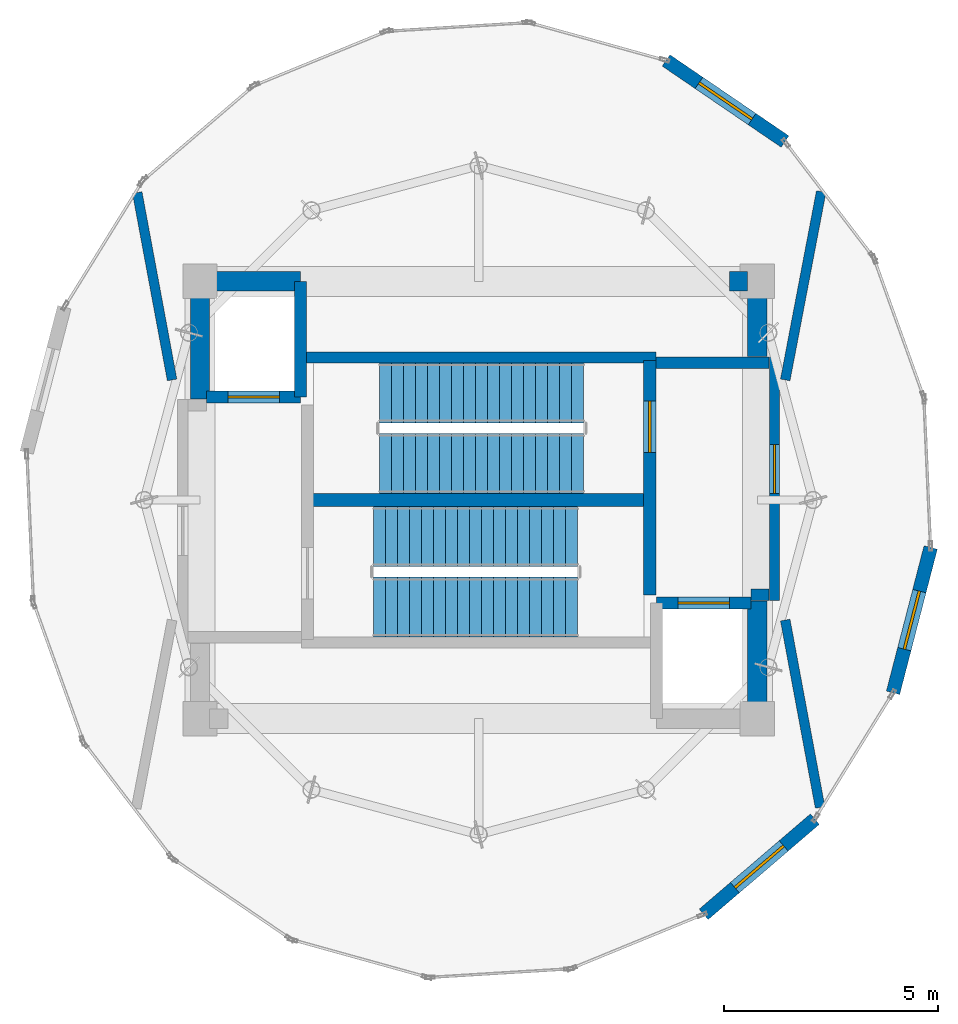
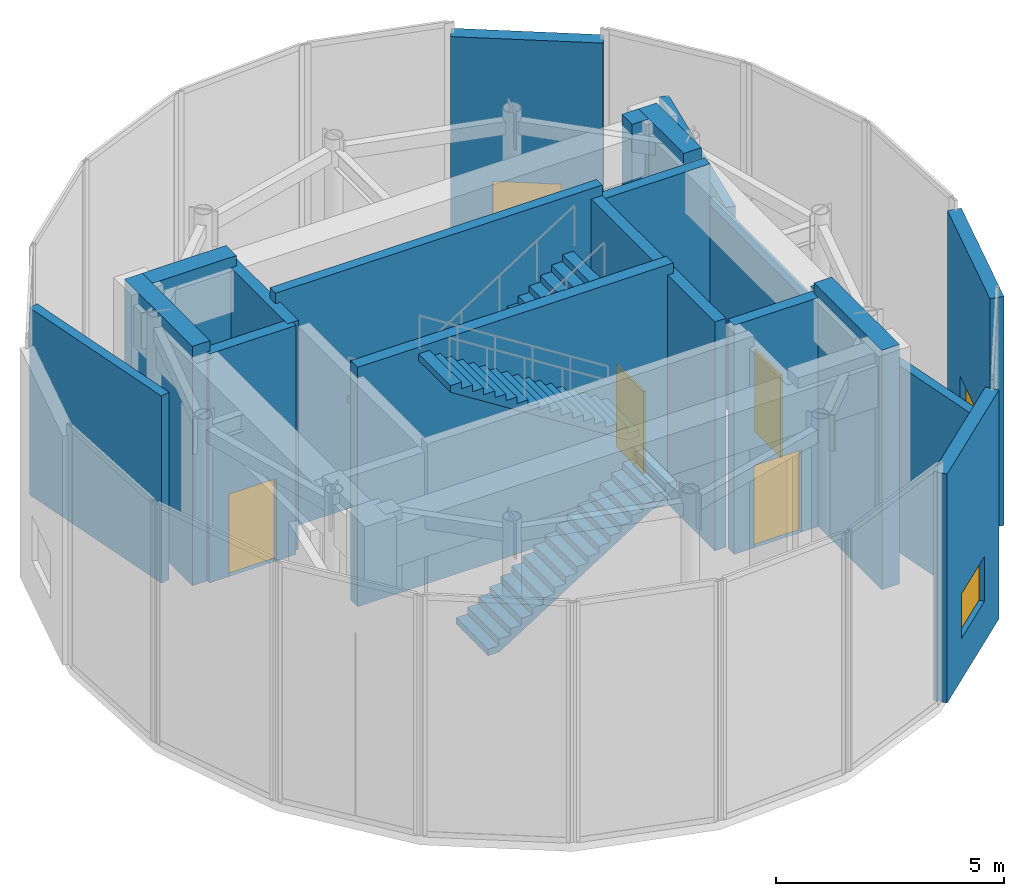
# One storey, part 7 of 8: 20 walls, 4 doors, 4 stair flights, 3 windows, 7 openings, 2 elements without a shape of their own.
"""IFC4 building model written with IfcOpenShell, lengths in metres."""

from ifc_helpers import new_model, si_unit, direction, frame, frame_2d, origin, place, context, subcontext, project, spatial, polyline, rectangle, outline, extrude, material, layer, layer_set, type_object, element, fill, aggregate, save


model = new_model("IFC4")

# Units and contexts
model_context = context("Model", 3, precision=1e-05, world=origin(), true_north=direction((0.0, 1.0)))
body_context = subcontext(model_context, "Body", "Model", "MODEL_VIEW")
ifc_project = project(units=[si_unit("LENGTHUNIT", "METRE"), si_unit("AREAUNIT", "SQUARE_METRE"), si_unit("VOLUMEUNIT", "CUBIC_METRE"), si_unit("PLANEANGLEUNIT", "RADIAN"), si_unit("MASSUNIT", "GRAM", prefix="KILO")], contexts=[model_context])

# Site, building, storey
site_placement = place(None, origin())
site = spatial("IfcSite", under=ifc_project, at=site_placement, CompositionType="ELEMENT")
building_placement = place(site_placement, origin())
building = spatial("IfcBuilding", under=site, at=building_placement, Name="Solvirekh Grand Hotel", CompositionType="ELEMENT")
storey_placement = place(building_placement, frame((0.0, 0.0, 321.0)))
storey = spatial("IfcBuildingStorey", under=building, at=storey_placement, Name="L81", CompositionType="ELEMENT", Elevation=321.0)

# Wall
ifc_material_1 = material(Name="Concrete C50/60", Category="concrete")
ifc_layer_1 = layer(ifc_material_1, 0.35009765625)
ifc_layer_set_1 = layer_set([ifc_layer_1], Name="Concrete C50/60")
wall_type_1 = type_object("IfcWallType", Name="CoreDivWall_RC350", PredefinedType="SOLIDWALL", material=ifc_layer_set_1)
wall_1_placement = place(storey_placement, frame((-4.1298828125, 3.324951171875, 0.0), z_axis=(0.0, 0.0, 1.0), x_axis=(1.0, 0.0, 0.0)))
element("IfcWall", 1, at=wall_1_placement, inside=storey, type_object=wall_type_1, Name="L81 core stair box wall ST-N", PredefinedType="SOLIDWALL", context=body_context, shape_type="SweptSolid", body=[
    extrude(rectangle(XDim=8.259765625, YDim=0.25, at=frame_2d((4.1298828125, 0.0))), origin(), (0.0, 0.0, 1.0), 6.39990234375),
])

# Wall, opening, door
ifc_material_2 = material(Name="Concrete C40/50", Category="concrete")
ifc_layer_2 = layer(ifc_material_2, 0.280029296875)
ifc_layer_set_2 = layer_set([ifc_layer_2], Name="Concrete C40/50")
wall_type_2 = type_object("IfcWallType", Name="CoreShaftWall_RC280", PredefinedType="SOLIDWALL", material=ifc_layer_set_2)
wall_2_placement = place(storey_placement, frame((-6.35009765625, 2.39990234375, 0.0), z_axis=(0.0, 0.0, 1.0), x_axis=(1.0, 0.0, 0.0)))
wall_2 = element("IfcWall", 2, at=wall_2_placement, inside=storey, type_object=wall_type_2, Name="L81 FL-1 hoistway S wall", PredefinedType="SOLIDWALL", context=body_context, shape_type="SweptSolid", body=[
    extrude(rectangle(XDim=2.2001953125, YDim=0.280029296875, at=frame_2d((1.10009765625, 0.0))), origin(), (0.0, 0.0, 1.0), 6.1201171875),
])
opening_1_placement = place(wall_2_placement, frame((0.5, 0.0, 0.0)))
opening_1 = element("IfcOpeningElement", 3, at=opening_1_placement, cuts=wall_2, Name="Opening LD02", PredefinedType="OPENING", context=body_context, shape_type="SweptSolid", body=[
    extrude(rectangle(XDim=1.199951171875, YDim=2.199951171875, at=frame_2d((0.60009765625, 1.10009765625))), frame((0.0, 0.14990234375, 0.0), z_axis=(0.0, -1.0, 0.0), x_axis=(1.0, 0.0, 0.0)), (0.0, 0.0, 1.0), 0.300048828125),
])
ifc_material_3 = material(Name="Fire-Rated Steel Door Assembly", Category="steel")
door_type_1 = type_object("IfcDoorType", Name="Door_LiftFF_1200X2200", OperationType="SLIDING_TO_LEFT", PredefinedType="DOOR", material=ifc_material_3)
door_1_placement = place(opening_1_placement, origin())
door_1 = element("IfcDoor", 4, at=door_1_placement, inside=storey, type_object=door_type_1, Name="L81 FL-1 sliding lift landing door", OperationType="SLIDING_TO_LEFT", OverallHeight=2.199951171875, OverallWidth=1.199951171875, PredefinedType="DOOR", context=body_context, shape_type="SweptSolid", body=[
    extrude(rectangle(XDim=1.199951171875, YDim=2.199951171875, at=frame_2d((0.60009765625, 1.10009765625))), frame((0.0, 0.02490234375, 0.0), z_axis=(0.0, -1.0, 0.0), x_axis=(1.0, 0.0, 0.0)), (0.0, 0.0, 1.0), 0.050048828125),
])
fill(opening_1, door_1)

# Wall
wall_3_placement = place(storey_placement, frame((-4.14990234375, 2.39990234375, 0.0), z_axis=(0.0, 0.0, 1.0), x_axis=(0.0, 1.0, 0.0)))
element("IfcWall", 5, at=wall_3_placement, inside=storey, type_object=wall_type_2, Name="L81 FL-1 hoistway E wall", PredefinedType="SOLIDWALL", context=body_context, shape_type="SweptSolid", body=[
    extrude(rectangle(XDim=2.7001953125, YDim=0.280029296875, at=frame_2d((1.35009765625, 0.0))), origin(), (0.0, 0.0, 1.0), 6.1201171875),
])

# Wall, opening, door
wall_4_placement = place(storey_placement, frame((6.35009765625, -2.39990234375, 0.0), z_axis=(0.0, 0.0, 1.0), x_axis=(-1.0, 0.0, 0.0)))
wall_4 = element("IfcWall", 6, at=wall_4_placement, inside=storey, type_object=wall_type_2, Name="L81 FL-2 hoistway N wall", PredefinedType="SOLIDWALL", context=body_context, shape_type="SweptSolid", body=[
    extrude(rectangle(XDim=2.2001953125, YDim=0.280029296875, at=frame_2d((1.10009765625, 0.0))), origin(), (0.0, 0.0, 1.0), 6.1201171875),
])
opening_2_placement = place(wall_4_placement, frame((0.5, 0.0, 0.0)))
opening_2 = element("IfcOpeningElement", 7, at=opening_2_placement, cuts=wall_4, Name="Opening LD02", PredefinedType="OPENING", context=body_context, shape_type="SweptSolid", body=[
    extrude(rectangle(XDim=1.199951171875, YDim=2.199951171875, at=frame_2d((0.60009765625, 1.10009765625))), frame((0.0, 0.14990234375, 0.0), z_axis=(0.0, -1.0, 0.0), x_axis=(1.0, 0.0, 0.0)), (0.0, 0.0, 1.0), 0.300048828125),
])
door_2_placement = place(opening_2_placement, origin())
door_2 = element("IfcDoor", 8, at=door_2_placement, inside=storey, type_object=door_type_1, Name="L81 FL-2 sliding lift landing door", OperationType="SLIDING_TO_LEFT", OverallHeight=2.199951171875, OverallWidth=1.199951171875, PredefinedType="DOOR", context=body_context, shape_type="SweptSolid", body=[
    extrude(rectangle(XDim=1.199951171875, YDim=2.199951171875, at=frame_2d((0.60009765625, 1.10009765625))), frame((0.0, 0.02490234375, 0.0), z_axis=(0.0, -1.0, 0.0), x_axis=(1.0, 0.0, 0.0)), (0.0, 0.0, 1.0), 0.050048828125),
])
fill(opening_2, door_2)

wall_5_placement = place(storey_placement, frame((3.989990234375, -2.2099609375, 0.0), z_axis=(0.0, 0.0, 1.0), x_axis=(0.0, 1.0, 0.0)))
wall_5 = element("IfcWall", 9, at=wall_5_placement, inside=storey, type_object=wall_type_2, Name="L81 east stair landing enclosure wall", PredefinedType="SOLIDWALL", context=body_context, shape_type="SweptSolid", body=[
    extrude(rectangle(XDim=5.4599609375, YDim=0.280029296875, at=frame_2d((2.72998046875, 0.0))), origin(), (0.0, 0.0, 1.0), 6.1201171875),
])
opening_3_placement = place(wall_5_placement, frame((3.322998046875, 0.0, 0.0)))
opening_3 = element("IfcOpeningElement", 10, at=opening_3_placement, cuts=wall_5, Name="Opening D05", PredefinedType="OPENING", context=body_context, shape_type="SweptSolid", body=[
    extrude(rectangle(XDim=1.199951171875, YDim=2.199951171875, at=frame_2d((0.60009765625, 1.10009765625))), frame((0.0, 0.14990234375, 0.0), z_axis=(0.0, -1.0, 0.0), x_axis=(1.0, 0.0, 0.0)), (0.0, 0.0, 1.0), 0.300048828125),
])
door_type_2 = type_object("IfcDoorType", Name="Door_StairCore_1200X2200", OperationType="NOTDEFINED", PredefinedType="DOOR", material=ifc_material_3)
door_3_placement = place(opening_3_placement, origin())
door_3 = element("IfcDoor", 11, at=door_3_placement, inside=storey, type_object=door_type_2, Name="L81 exit stair ST-2 fire door", OperationType="SINGLE_SWING_LEFT", OverallHeight=2.199951171875, OverallWidth=1.199951171875, PredefinedType="DOOR", context=body_context, shape_type="SweptSolid", body=[
    extrude(rectangle(XDim=1.199951171875, YDim=2.199951171875, at=frame_2d((0.60009765625, 1.10009765625))), frame((0.0, 0.02490234375, 0.0), z_axis=(0.0, -1.0, 0.0), x_axis=(1.0, 0.0, 0.0)), (0.0, 0.0, 1.0), 0.050048828125),
])
fill(opening_3, door_3)

# Walls
ifc_layer_3 = layer(ifc_material_1, 0.449951171875)
ifc_layer_set_3 = layer_set([ifc_layer_3], Name="Concrete C50/60")
wall_type_3 = type_object("IfcWallType", Name="CoreWall_RC450", PredefinedType="SHEAR", material=ifc_layer_set_3)
wall_6_placement = place(storey_placement, frame((-3.989990234375, 0.0, 0.0), z_axis=(0.0, 0.0, 1.0), x_axis=(1.0, 0.0, 0.0)))
element("IfcWall", 12, at=wall_6_placement, inside=storey, type_object=wall_type_3, Name="L81 central stair-spine shear wall", PredefinedType="SHEAR", context=body_context, shape_type="SweptSolid", body=[
    extrude(rectangle(XDim=7.97998046875, YDim=0.300048828125, at=frame_2d((3.989990234375, 0.0))), origin(), (0.0, 0.0, 1.0), 6.39990234375),
])
wall_7_placement = place(storey_placement, frame((-6.27490234375, 5.10009765625, 0.0), z_axis=(0.0, 0.0, 1.0), x_axis=(1.0, 0.0, 0.0)))
element("IfcWall", 13, at=wall_7_placement, inside=storey, type_object=wall_type_3, Name="L81 core corner shear wall NW-N", PredefinedType="SHEAR", context=body_context, shape_type="SweptSolid", body=[
    extrude(rectangle(XDim=2.125, YDim=0.449951171875, at=frame_2d((1.0625, 0.0))), origin(), (0.0, 0.0, 1.0), 6.39990234375),
])
wall_8_placement = place(storey_placement, frame((5.85009765625, 5.10009765625, 0.0), z_axis=(0.0, 0.0, 1.0), x_axis=(1.0, 0.0, 0.0)))
element("IfcWall", 14, at=wall_8_placement, inside=storey, type_object=wall_type_3, Name="L81 core corner shear wall NE-N", PredefinedType="SHEAR", context=body_context, shape_type="SweptSolid", body=[
    extrude(rectangle(XDim=0.4248046875, YDim=0.449951171875, at=frame_2d((0.21240234375, 0.0))), origin(), (0.0, 0.0, 1.0), 6.39990234375),
])
for number, where, z_axis, x_axis, name in (
    (15, (-6.5, 2.35009765625, 0.0), (0.0, 0.0, 1.0), (0.0, 1.0, 0.0), "L81 core corner shear wall WN-W"),
    (16, (6.5, -5.324951171875, 0.0), (0.0, 0.0, 1.0), (0.0, 1.0, 0.0), "L81 core corner shear wall ES-E"),
):
    element("IfcWall", number, at=place(storey_placement, frame(where, z_axis=z_axis, x_axis=x_axis)), inside=storey, type_object=wall_type_3, Name=name, PredefinedType="SHEAR", context=body_context, shape_type="SweptSolid", body=[
        extrude(rectangle(XDim=2.974853515625, YDim=0.449951171875, at=frame_2d((1.4873046875, 0.0))), origin(), (0.0, 0.0, 1.0), 6.39990234375),
    ])
wall_9_placement = place(storey_placement, frame((6.5, 3.35009765625, 0.0), z_axis=(0.0, 0.0, 1.0), x_axis=(0.0, 1.0, 0.0)))
element("IfcWall", 17, at=wall_9_placement, inside=storey, type_object=wall_type_3, Name="L81 core corner shear wall EN-E", PredefinedType="SHEAR", context=body_context, shape_type="SweptSolid", body=[
    extrude(rectangle(XDim=1.974853515625, YDim=0.449951171875, at=frame_2d((0.9873046875, 0.0))), origin(), (0.0, 0.0, 1.0), 6.39990234375),
])

# Wall, opening, window
ifc_material_4 = material(Name="Precast concrete C45/55", Category="concrete")
ifc_layer_4 = layer(ifc_material_4, 0.320068359375)
ifc_layer_set_4 = layer_set([ifc_layer_4], Name="Precast concrete C45/55")
wall_type_4 = type_object("IfcWallType", Name="ExtLobbyWall_RC320", PredefinedType="SOLIDWALL", material=ifc_layer_set_4)
wall_10_placement = place(storey_placement, frame((7.840087890625, -7.444091796875, 0.0), z_axis=(0.0, 0.0, 1.0), x_axis=(-0.759534379257, -0.650467160376, 0.0)))
wall_10 = element("IfcWall", 18, at=wall_10_placement, inside=storey, type_object=wall_type_4, Name="L81 exterior structural wall chord 3", PredefinedType="SOLIDWALL", context=body_context, shape_type="SweptSolid", body=[
    extrude(rectangle(XDim=3.411376953125, YDim=0.320068359375, at=frame_2d((1.70556640625, 0.0))), origin(), (0.0, 0.0, 1.0), 6.1201171875),
])
opening_4_placement = place(wall_10_placement, frame((0.9560546875, 0.0, 1.10009765625)))
opening_4 = element("IfcOpeningElement", 19, at=opening_4_placement, cuts=wall_10, Name="Opening W05", PredefinedType="OPENING", context=body_context, shape_type="SweptSolid", body=[
    extrude(rectangle(XDim=1.5, YDim=1.199951171875, at=frame_2d((0.75, 0.60009765625))), frame((0.0, 0.169921875, 0.0), z_axis=(0.0, -1.0, 0.0), x_axis=(1.0, 0.0, 0.0)), (0.0, 0.0, 1.0), 0.340087890625),
])
ifc_material_5 = material(Name="Low-E Tinted Bronze Laminated Glass", Category="aluminium")
window_type_1 = type_object("IfcWindowType", Name="Win_PlantVent_1500X1200", PartitioningType="SINGLE_PANEL", PredefinedType="WINDOW", material=ifc_material_5)
window_1_placement = place(opening_4_placement, origin())
window_1 = element("IfcWindow", 20, at=window_1_placement, inside=storey, type_object=window_type_1, Name="L81 mechanical louvre window 3", OverallHeight=1.199951171875, OverallWidth=1.5, PartitioningType="SINGLE_PANEL", PredefinedType="WINDOW", context=body_context, shape_type="SweptSolid", body=[
    extrude(rectangle(XDim=1.5, YDim=1.199951171875, at=frame_2d((0.75, 0.60009765625))), frame((0.0, 0.030029296875, 0.0), z_axis=(0.0, -1.0, 0.0), x_axis=(1.0, 0.0, 0.0)), (0.0, 0.0, 1.0), 0.06005859375),
])
fill(opening_4, window_1)

wall_11_placement = place(storey_placement, frame((10.5419921875, -1.10791015625, 0.0), z_axis=(0.0, 0.0, 1.0), x_axis=(-0.250831437046, -0.968030779567, 0.0)))
wall_11 = element("IfcWall", 21, at=wall_11_placement, inside=storey, type_object=wall_type_4, Name="L81 exterior structural wall chord 5", PredefinedType="SOLIDWALL", context=body_context, shape_type="SweptSolid", body=[
    extrude(rectangle(XDim=3.5, YDim=0.320068359375, at=frame_2d((1.75, 0.0))), origin(), (0.0, 0.0, 1.0), 6.1201171875),
])
opening_5_placement = place(wall_11_placement, frame((1.050048828125, 0.0, 0.60009765625)))
opening_5 = element("IfcOpeningElement", 22, at=opening_5_placement, cuts=wall_11, Name="Opening SK03", PredefinedType="OPENING", context=body_context, shape_type="SweptSolid", body=[
    extrude(rectangle(XDim=1.39990234375, YDim=1.800048828125, at=frame_2d((0.699951171875, 0.89990234375))), frame((0.0, 0.169921875, 0.0), z_axis=(0.0, -1.0, 0.0), x_axis=(1.0, 0.0, 0.0)), (0.0, 0.0, 1.0), 0.340087890625),
])
ifc_material_6 = material(Name="Champagne Low-Iron Crown Laminated Glass", Category="glass")
window_type_2 = type_object("IfcWindowType", Name="Skylight_Crown_1400X1800", PartitioningType="SINGLE_PANEL", PredefinedType="SKYLIGHT", material=ifc_material_6)
window_2_placement = place(opening_5_placement, origin())
window_2 = element("IfcWindow", 23, at=window_2_placement, inside=storey, type_object=window_type_2, Name="L81 high-level clerestory skylight 5", OverallHeight=1.800048828125, OverallWidth=1.39990234375, PartitioningType="SINGLE_PANEL", PredefinedType="SKYLIGHT", context=body_context, shape_type="SweptSolid", body=[
    extrude(rectangle(XDim=1.39990234375, YDim=1.800048828125, at=frame_2d((0.699951171875, 0.89990234375))), frame((0.0, 0.030029296875, 0.0), z_axis=(0.0, -1.0, 0.0), x_axis=(1.0, 0.0, 0.0)), (0.0, 0.0, 1.0), 0.06005859375),
])
fill(opening_5, window_2)

wall_12_placement = place(storey_placement, frame((4.37109375, 10.2509765625, 0.0), z_axis=(0.0, 0.0, 1.0), x_axis=(0.82619656243, -0.563381966545, 0.0)))
wall_12 = element("IfcWall", 24, at=wall_12_placement, inside=storey, type_object=wall_type_4, Name="L81 exterior structural wall chord 9", PredefinedType="SOLIDWALL", context=body_context, shape_type="SweptSolid", body=[
    extrude(rectangle(XDim=3.356201171875, YDim=0.320068359375, at=frame_2d((1.67822265625, 0.0))), origin(), (0.0, 0.0, 1.0), 6.1201171875),
])
opening_6_placement = place(wall_12_placement, frame((0.927978515625, 0.0, 1.10009765625)))
opening_6 = element("IfcOpeningElement", 25, at=opening_6_placement, cuts=wall_12, Name="Opening W05", PredefinedType="OPENING", context=body_context, shape_type="SweptSolid", body=[
    extrude(rectangle(XDim=1.5, YDim=1.199951171875, at=frame_2d((0.75, 0.60009765625))), frame((0.0, 0.169921875, 0.0), z_axis=(0.0, -1.0, 0.0), x_axis=(1.0, 0.0, 0.0)), (0.0, 0.0, 1.0), 0.340087890625),
])
window_3_placement = place(opening_6_placement, origin())
window_3 = element("IfcWindow", 26, at=window_3_placement, inside=storey, type_object=window_type_1, Name="L81 mechanical louvre window 9", OverallHeight=1.199951171875, OverallWidth=1.5, PartitioningType="SINGLE_PANEL", PredefinedType="WINDOW", context=body_context, shape_type="SweptSolid", body=[
    extrude(rectangle(XDim=1.5, YDim=1.199951171875, at=frame_2d((0.75, 0.60009765625))), frame((0.0, 0.030029296875, 0.0), z_axis=(0.0, -1.0, 0.0), x_axis=(1.0, 0.0, 0.0)), (0.0, 0.0, 1.0), 0.06005859375),
])
fill(opening_6, window_3)

# Wall, opening, door
ifc_material_7 = material(Name="Acoustic Gypsum Partition Assembly")
ifc_layer_5 = layer(ifc_material_7, 0.239990234375)
ifc_layer_set_5 = layer_set([ifc_layer_5], Name="Acoustic Gypsum Partition Assembly")
wall_type_5 = type_object("IfcWallType", Name="Part_Corridor_240", PredefinedType="PARTITIONING", material=ifc_layer_set_5)
wall_13_placement = place(storey_placement, frame((6.89990234375, -2.340087890625, 0.0), z_axis=(0.0, 0.0, 1.0), x_axis=(0.0, 1.0, 0.0)))
wall_13 = element("IfcWall", 27, at=wall_13_placement, inside=storey, type_object=wall_type_5, Name="L81 east firefighting lobby smoke screen wall", PredefinedType="PARTITIONING", context=body_context, shape_type="SweptSolid", body=[
    extrude(rectangle(XDim=5.670166015625, YDim=0.239990234375, at=frame_2d((2.8349609375, 0.0))), origin(), (0.0, 0.0, 1.0), 5.0048828125),
])
opening_7_placement = place(wall_13_placement, frame((2.486083984375, 0.0, 0.0)))
opening_7 = element("IfcOpeningElement", 28, at=opening_7_placement, cuts=wall_13, Name="Opening D06", PredefinedType="OPENING", context=body_context, shape_type="SweptSolid", body=[
    extrude(rectangle(XDim=1.14990234375, YDim=2.199951171875, at=frame_2d((0.574951171875, 1.10009765625))), frame((0.0, 0.1298828125, 0.0), z_axis=(0.0, -1.0, 0.0), x_axis=(1.0, 0.0, 0.0)), (0.0, 0.0, 1.0), 0.260009765625),
])
door_type_3 = type_object("IfcDoorType", Name="Door_FFLobby_1150X2200", OperationType="NOTDEFINED", PredefinedType="DOOR", material=ifc_material_3)
door_4_placement = place(opening_7_placement, origin())
door_4 = element("IfcDoor", 29, at=door_4_placement, inside=storey, type_object=door_type_3, Name="L81 east firefighting lobby smoke door", OperationType="SINGLE_SWING_LEFT", OverallHeight=2.199951171875, OverallWidth=1.14990234375, PredefinedType="DOOR", context=body_context, shape_type="SweptSolid", body=[
    extrude(rectangle(XDim=1.14990234375, YDim=2.199951171875, at=frame_2d((0.574951171875, 1.10009765625))), frame((0.0, 0.02490234375, 0.0), z_axis=(0.0, -1.0, 0.0), x_axis=(1.0, 0.0, 0.0)), (0.0, 0.0, 1.0), 0.050048828125),
])
fill(opening_7, door_4)

# Walls
ifc_layer_6 = layer(ifc_material_7, 0.260009765625)
ifc_layer_set_6 = layer_set([ifc_layer_6], Name="Acoustic Gypsum Partition Assembly")
wall_type_6 = type_object("IfcWallType", Name="Part_LobbyFF_260", PredefinedType="PARTITIONING", material=ifc_layer_set_6)
wall_14_placement = place(storey_placement, frame((6.35009765625, -2.2099609375, 0.0), z_axis=(0.0, 0.0, 1.0), x_axis=(1.0, 0.0, 0.0)))
element("IfcWall", 30, at=wall_14_placement, inside=storey, type_object=wall_type_6, Name="L81 east firefighting lobby SE cheek", PredefinedType="PARTITIONING", context=body_context, shape_type="SweptSolid", body=[
    extrude(rectangle(XDim=0.4248046875, YDim=0.260009765625, at=frame_2d((0.21240234375, 0.0))), origin(), (0.0, 0.0, 1.0), 6.1201171875),
])
wall_15_placement = place(storey_placement, frame((4.1298828125, 3.199951171875, 0.0), z_axis=(0.0, 0.0, 1.0), x_axis=(1.0, 0.0, 0.0)))
element("IfcWall", 31, at=wall_15_placement, inside=storey, type_object=wall_type_6, Name="L81 east firefighting lobby north partition", PredefinedType="PARTITIONING", context=body_context, shape_type="SweptSolid", body=[
    extrude(rectangle(XDim=2.64501953125, YDim=0.260009765625, at=frame_2d((1.322509765625, 0.0))), origin(), (0.0, 0.0, 1.0), 6.1201171875),
])
ifc_layer_7 = layer(ifc_material_4, 0.22509765625)
ifc_layer_set_7 = layer_set([ifc_layer_7], Name="Precast concrete C45/55")
wall_type_7 = type_object("IfcWallType", Name="Part_Plant_225", PredefinedType="PARTITIONING", material=ifc_layer_set_7)
wall_16_placement = place(storey_placement, frame((-7.14990234375, 2.800048828125, 0.0), z_axis=(0.0, 0.0, 1.0), x_axis=(-0.182905446928, 0.983130508877, 0.0)))
element("IfcWall", 32, at=wall_16_placement, inside=storey, type_object=wall_type_7, Name="L81 west crown plant north wall", PredefinedType="PARTITIONING", context=body_context, shape_type="SweptSolid", body=[
    extrude(rectangle(XDim=4.44482421875, YDim=0.22509765625, at=frame_2d((2.222412109375, 0.0))), origin(), (0.0, 0.0, 1.0), 5.0048828125),
])
wall_17_placement = place(storey_placement, frame((7.14990234375, 2.800048828125, 0.0), z_axis=(0.0, 0.0, 1.0), x_axis=(0.187455851304, 0.982273029158, 0.0)))
element("IfcWall", 33, at=wall_17_placement, inside=storey, type_object=wall_type_7, Name="L81 east crown plant north wall", PredefinedType="PARTITIONING", context=body_context, shape_type="SweptSolid", body=[
    extrude(rectangle(XDim=4.47119140625, YDim=0.22509765625, at=frame_2d((2.235595703125, 0.0))), origin(), (0.0, 0.0, 1.0), 5.0048828125),
])
wall_18_placement = place(storey_placement, frame((7.14990234375, -2.800048828125, 0.0), z_axis=(0.0, 0.0, 1.0), x_axis=(0.182905446928, -0.983130508877, 0.0)))
element("IfcWall", 34, at=wall_18_placement, inside=storey, type_object=wall_type_7, Name="L81 east crown plant south wall", PredefinedType="PARTITIONING", context=body_context, shape_type="SweptSolid", body=[
    extrude(rectangle(XDim=4.44482421875, YDim=0.22509765625, at=frame_2d((2.222412109375, 0.0))), origin(), (0.0, 0.0, 1.0), 5.0048828125),
])

# Stair, stair flights
stair_type = type_object("IfcStairType", Name="Stair_Core_1450", PredefinedType="HALF_TURN_STAIR", material=ifc_material_2)
stair_1_placement = place(storey_placement, origin())
stair_1 = element("IfcStair", 35, at=stair_1_placement, inside=storey, type_object=stair_type, Name="L81 Enclosed exit stair ST-1", PredefinedType="HALF_TURN_STAIR")
stair_flight_type = type_object("IfcStairFlightType", Name="Flight_Core_1450", PredefinedType="STRAIGHT", material=ifc_material_2)
stair_flight_1_placement = place(storey_placement, frame((-2.449951171875, -2.5, 0.0), z_axis=(0.0, 0.0, 1.0), x_axis=(1.0, 0.0, 0.0)))
stair_flight_1 = element("IfcStairFlight", 36, at=stair_flight_1_placement, type_object=stair_flight_type, Name="ST-1 flight 1", NumberOfRisers=18, NumberOfTreads=17, PredefinedType="STRAIGHT", RiserHeight=0.177777778, TreadLength=0.28, context=body_context, shape_type="SweptSolid", body=[
    extrude(outline(polyline([(0.0, 0.0), (0.0, 0.177734375), (0.280029296875, 0.177734375), (0.280029296875, 0.35546875), (0.56005859375, 0.35546875), (0.56005859375, 0.533447265625), (0.840087890625, 0.533447265625), (0.840087890625, 0.711181640625), (1.1201171875, 0.711181640625), (1.1201171875, 0.888916015625), (1.39990234375, 0.888916015625), (1.39990234375, 1.066650390625), (1.679931640625, 1.066650390625), (1.679931640625, 1.244384765625), (1.9599609375, 1.244384765625), (1.9599609375, 1.422119140625), (2.239990234375, 1.422119140625), (2.239990234375, 1.60009765625), (2.52001953125, 1.60009765625), (2.52001953125, 1.77783203125), (2.800048828125, 1.77783203125), (2.800048828125, 1.95556640625), (3.080078125, 1.95556640625), (3.080078125, 2.13330078125), (3.360107421875, 2.13330078125), (3.360107421875, 2.31103515625), (3.639892578125, 2.31103515625), (3.639892578125, 2.48876953125), (3.919921875, 2.48876953125), (3.919921875, 2.666748046875), (4.199951171875, 2.666748046875), (4.199951171875, 2.844482421875), (4.47998046875, 2.844482421875), (4.47998046875, 3.022216796875), (4.760009765625, 3.022216796875), (4.760009765625, 3.199951171875), (4.760009765625, 2.8447265625), (0.27978515625, 0.0), (0.0, 0.0)])), frame((0.0, 0.699951171875, 0.0), z_axis=(0.0, -1.0, 0.0), x_axis=(1.0, 0.0, 0.0)), (0.0, 0.0, 1.0), 1.39990234375),
])
stair_flight_2_placement = place(storey_placement, frame((2.31005859375, -0.85009765625, 3.199951171875), z_axis=(0.0, 0.0, 1.0), x_axis=(-1.0, 0.0, 0.0)))
stair_flight_2 = element("IfcStairFlight", 37, at=stair_flight_2_placement, type_object=stair_flight_type, Name="ST-1 flight 2", NumberOfRisers=18, NumberOfTreads=17, PredefinedType="STRAIGHT", RiserHeight=0.177777778, TreadLength=0.28, context=body_context, shape_type="SweptSolid", body=[
    extrude(outline(polyline([(0.0, 0.0), (0.0, 0.177734375), (0.280029296875, 0.177734375), (0.280029296875, 0.35546875), (0.56005859375, 0.35546875), (0.56005859375, 0.533447265625), (0.840087890625, 0.533447265625), (0.840087890625, 0.711181640625), (1.1201171875, 0.711181640625), (1.1201171875, 0.888916015625), (1.39990234375, 0.888916015625), (1.39990234375, 1.066650390625), (1.679931640625, 1.066650390625), (1.679931640625, 1.244384765625), (1.9599609375, 1.244384765625), (1.9599609375, 1.422119140625), (2.239990234375, 1.422119140625), (2.239990234375, 1.60009765625), (2.52001953125, 1.60009765625), (2.52001953125, 1.77783203125), (2.800048828125, 1.77783203125), (2.800048828125, 1.95556640625), (3.080078125, 1.95556640625), (3.080078125, 2.13330078125), (3.360107421875, 2.13330078125), (3.360107421875, 2.31103515625), (3.639892578125, 2.31103515625), (3.639892578125, 2.48876953125), (3.919921875, 2.48876953125), (3.919921875, 2.666748046875), (4.199951171875, 2.666748046875), (4.199951171875, 2.844482421875), (4.47998046875, 2.844482421875), (4.47998046875, 3.022216796875), (4.760009765625, 3.022216796875), (4.760009765625, 3.199951171875), (4.760009765625, 2.8447265625), (0.27978515625, 0.0), (0.0, 0.0)])), frame((0.0, 0.699951171875, 0.0), z_axis=(0.0, -1.0, 0.0), x_axis=(1.0, 0.0, 0.0)), (0.0, 0.0, 1.0), 1.39990234375),
])
aggregate(stair_1, [stair_flight_1, stair_flight_2])

stair_2_placement = place(storey_placement, origin())
stair_2 = element("IfcStair", 38, at=stair_2_placement, inside=storey, type_object=stair_type, Name="L81 Enclosed exit stair ST-2", PredefinedType="HALF_TURN_STAIR")
stair_flight_3_placement = place(storey_placement, frame((2.449951171875, 2.5, 0.0), z_axis=(0.0, 0.0, 1.0), x_axis=(-1.0, 0.0, 0.0)))
stair_flight_3 = element("IfcStairFlight", 39, at=stair_flight_3_placement, type_object=stair_flight_type, Name="ST-2 flight 1", NumberOfRisers=18, NumberOfTreads=17, PredefinedType="STRAIGHT", RiserHeight=0.177777778, TreadLength=0.28, context=body_context, shape_type="SweptSolid", body=[
    extrude(outline(polyline([(0.0, 0.0), (0.0, 0.177734375), (0.280029296875, 0.177734375), (0.280029296875, 0.35546875), (0.56005859375, 0.35546875), (0.56005859375, 0.533447265625), (0.840087890625, 0.533447265625), (0.840087890625, 0.711181640625), (1.1201171875, 0.711181640625), (1.1201171875, 0.888916015625), (1.39990234375, 0.888916015625), (1.39990234375, 1.066650390625), (1.679931640625, 1.066650390625), (1.679931640625, 1.244384765625), (1.9599609375, 1.244384765625), (1.9599609375, 1.422119140625), (2.239990234375, 1.422119140625), (2.239990234375, 1.60009765625), (2.52001953125, 1.60009765625), (2.52001953125, 1.77783203125), (2.800048828125, 1.77783203125), (2.800048828125, 1.95556640625), (3.080078125, 1.95556640625), (3.080078125, 2.13330078125), (3.360107421875, 2.13330078125), (3.360107421875, 2.31103515625), (3.639892578125, 2.31103515625), (3.639892578125, 2.48876953125), (3.919921875, 2.48876953125), (3.919921875, 2.666748046875), (4.199951171875, 2.666748046875), (4.199951171875, 2.844482421875), (4.47998046875, 2.844482421875), (4.47998046875, 3.022216796875), (4.760009765625, 3.022216796875), (4.760009765625, 3.199951171875), (4.760009765625, 2.8447265625), (0.27978515625, 0.0), (0.0, 0.0)])), frame((0.0, 0.699951171875, 0.0), z_axis=(0.0, -1.0, 0.0), x_axis=(1.0, 0.0, 0.0)), (0.0, 0.0, 1.0), 1.39990234375),
])
stair_flight_4_placement = place(storey_placement, frame((-2.31005859375, 0.85009765625, 3.199951171875), z_axis=(0.0, 0.0, 1.0), x_axis=(1.0, 0.0, 0.0)))
stair_flight_4 = element("IfcStairFlight", 40, at=stair_flight_4_placement, type_object=stair_flight_type, Name="ST-2 flight 2", NumberOfRisers=18, NumberOfTreads=17, PredefinedType="STRAIGHT", RiserHeight=0.177777778, TreadLength=0.28, context=body_context, shape_type="SweptSolid", body=[
    extrude(outline(polyline([(0.0, 0.0), (0.0, 0.177734375), (0.280029296875, 0.177734375), (0.280029296875, 0.35546875), (0.56005859375, 0.35546875), (0.56005859375, 0.533447265625), (0.840087890625, 0.533447265625), (0.840087890625, 0.711181640625), (1.1201171875, 0.711181640625), (1.1201171875, 0.888916015625), (1.39990234375, 0.888916015625), (1.39990234375, 1.066650390625), (1.679931640625, 1.066650390625), (1.679931640625, 1.244384765625), (1.9599609375, 1.244384765625), (1.9599609375, 1.422119140625), (2.239990234375, 1.422119140625), (2.239990234375, 1.60009765625), (2.52001953125, 1.60009765625), (2.52001953125, 1.77783203125), (2.800048828125, 1.77783203125), (2.800048828125, 1.95556640625), (3.080078125, 1.95556640625), (3.080078125, 2.13330078125), (3.360107421875, 2.13330078125), (3.360107421875, 2.31103515625), (3.639892578125, 2.31103515625), (3.639892578125, 2.48876953125), (3.919921875, 2.48876953125), (3.919921875, 2.666748046875), (4.199951171875, 2.666748046875), (4.199951171875, 2.844482421875), (4.47998046875, 2.844482421875), (4.47998046875, 3.022216796875), (4.760009765625, 3.022216796875), (4.760009765625, 3.199951171875), (4.760009765625, 2.8447265625), (0.27978515625, 0.0), (0.0, 0.0)])), frame((0.0, 0.699951171875, 0.0), z_axis=(0.0, -1.0, 0.0), x_axis=(1.0, 0.0, 0.0)), (0.0, 0.0, 1.0), 1.39990234375),
])
aggregate(stair_2, [stair_flight_3, stair_flight_4])

save(model, "model.ifc")
